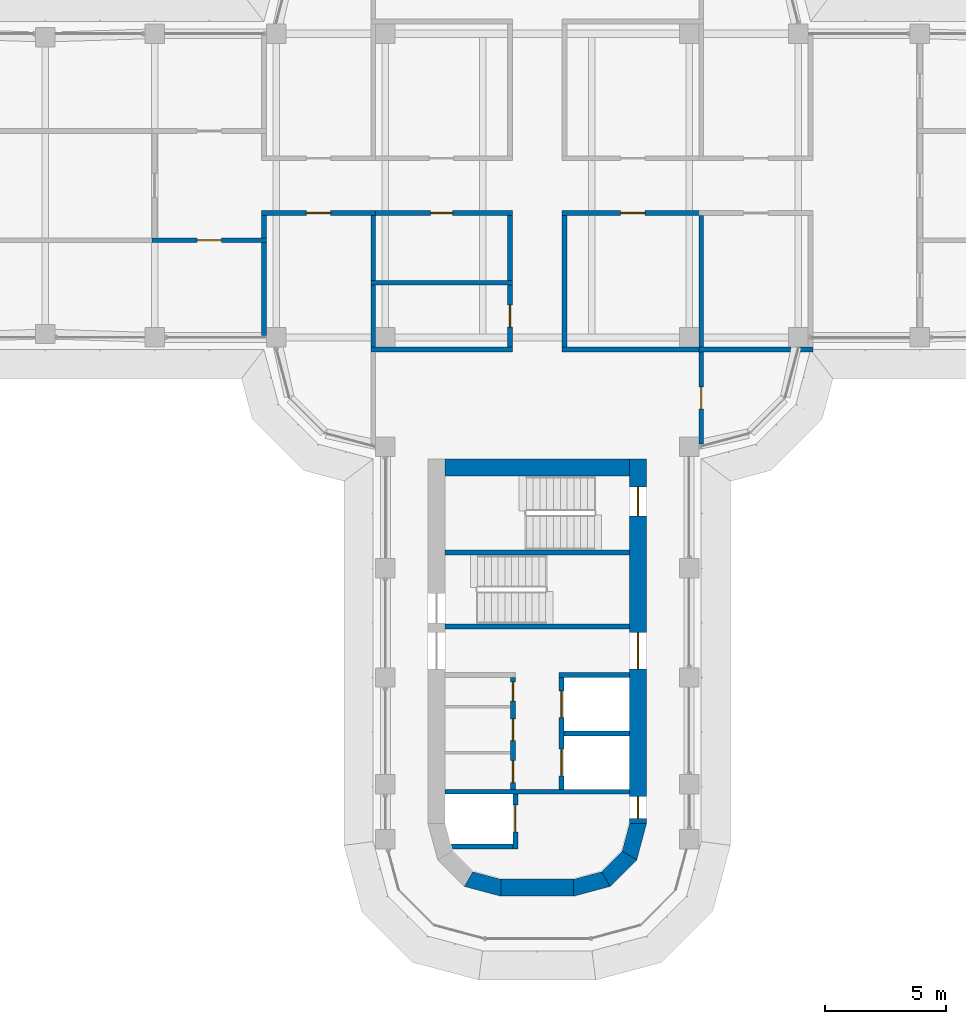
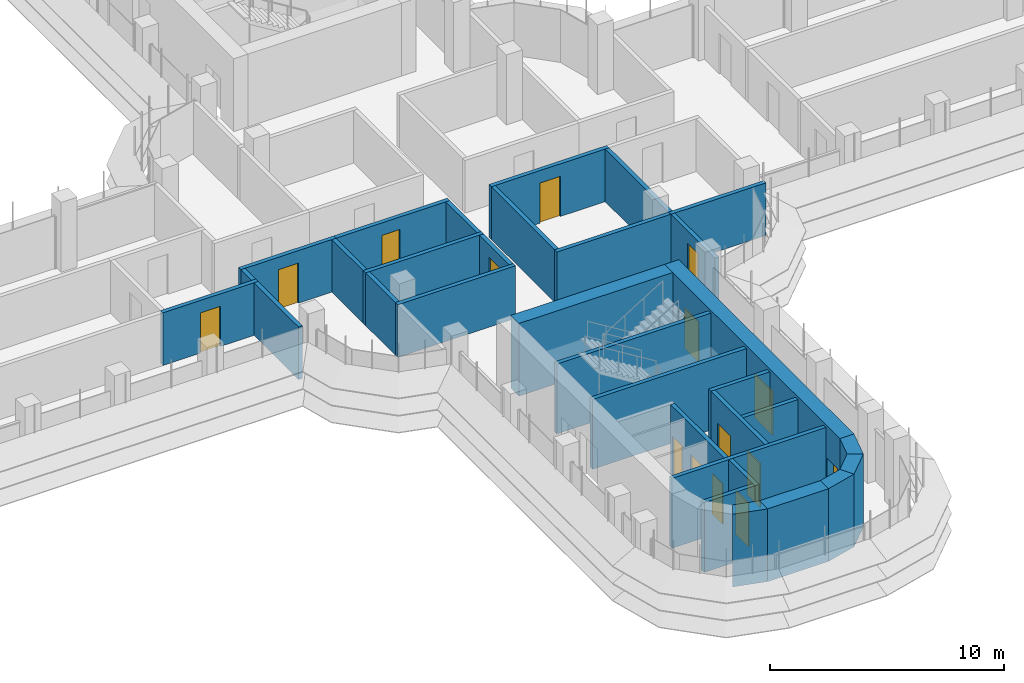
# One storey, part 13 of 19: 33 walls, 15 doors, 15 openings.
"""IFC4 building model written with IfcOpenShell, lengths in metres."""

from ifc_helpers import new_model, si_unit, direction, frame, frame_2d, origin, place, context, subcontext, project, spatial, polyline, rectangle, outline, extrude, material, layer, layer_set, type_object, element, fill, save


model = new_model("IFC4")

# Units and contexts
model_context = context("Model", 3, precision=1e-05, world=origin(), true_north=direction((0.0, 1.0)))
body_context = subcontext(model_context, "Body", "Model", "MODEL_VIEW")
ifc_project = project(units=[si_unit("LENGTHUNIT", "METRE"), si_unit("AREAUNIT", "SQUARE_METRE"), si_unit("VOLUMEUNIT", "CUBIC_METRE"), si_unit("PLANEANGLEUNIT", "RADIAN"), si_unit("MASSUNIT", "GRAM", prefix="KILO")], contexts=[model_context])

# Site, building, storey
site_placement = place(None, origin())
site = spatial("IfcSite", under=ifc_project, at=site_placement, CompositionType="ELEMENT")
building_placement = place(site_placement, origin())
building = spatial("IfcBuilding", under=site, at=building_placement, Name="Zarbagh Exchange Tower", CompositionType="ELEMENT")
storey_placement = place(building_placement, frame((0.0, 0.0, 171.39990234375)))
storey = spatial("IfcBuildingStorey", under=building, at=storey_placement, Name="L41", CompositionType="ELEMENT", Elevation=171.39990234375)

# Wall, opening, door
ifc_material_1 = material(Name="Fire-rated plasterboard partition")
ifc_layer_1 = layer(ifc_material_1, 0.199951171875)
ifc_layer_set_1 = layer_set([ifc_layer_1], Name="RATED PARTITION 200")
wall_type_1 = type_object("IfcWallType", Name="RATED PARTITION 200", PredefinedType="PARTITIONING", material=ifc_layer_set_1)
wall_1_placement = place(storey_placement, frame((6.85009765625, -1.125, 0.0), z_axis=(0.0, 0.0, 1.0), x_axis=(-1.0, 0.0, 0.0)))
wall_1 = element("IfcWall", 1, at=wall_1_placement, inside=storey, type_object=wall_type_1, Name="Partition W-1805", PredefinedType="PARTITIONING", context=body_context, shape_type="SweptSolid", body=[
    extrude(rectangle(XDim=5.8251953125, YDim=0.199951171875, at=frame_2d((2.91259765625, 0.0))), origin(), (0.0, 0.0, 1.0), 2.75),
])
opening_1_placement = place(wall_1_placement, frame((2.41259765625, 0.0, 0.0)))
opening_1 = element("IfcOpeningElement", 2, at=opening_1_placement, cuts=wall_1, Name="Opening D-1808", PredefinedType="OPENING", context=body_context, shape_type="SweptSolid", body=[
    extrude(rectangle(XDim=1.0, YDim=2.10009765625, at=frame_2d((0.5, 1.050048828125))), frame((0.0, 0.10986328125, 0.0), z_axis=(0.0, -1.0, 0.0), x_axis=(1.0, 0.0, 0.0)), (0.0, 0.0, 1.0), 0.219970703125),
])
ifc_material_2 = material(Name="Steel door set", Category="steel")
door_type_1 = type_object("IfcDoorType", Name="FIRE DOOR 1000 X 2100 FD30S", OperationType="NOTDEFINED", PredefinedType="DOOR", material=ifc_material_2)
door_1_placement = place(opening_1_placement, origin())
door_1 = element("IfcDoor", 3, at=door_1_placement, inside=storey, type_object=door_type_1, Name="Door D-1808", OperationType="SINGLE_SWING_RIGHT", OverallHeight=2.10009765625, OverallWidth=1.0, PredefinedType="DOOR", context=body_context, shape_type="SweptSolid", body=[
    extrude(rectangle(XDim=1.0, YDim=2.10009765625, at=frame_2d((0.5, 1.050048828125))), frame((0.0, 0.02490234375, 0.0), z_axis=(0.0, -1.0, 0.0), x_axis=(1.0, 0.0, 0.0)), (0.0, 0.0, 1.0), 0.050048828125),
])
fill(opening_1, door_1)

wall_2_placement = place(storey_placement, frame((-1.02490234375, -1.125, 0.0), z_axis=(0.0, 0.0, 1.0), x_axis=(-1.0, 0.0, 0.0)))
wall_2 = element("IfcWall", 4, at=wall_2_placement, inside=storey, type_object=wall_type_1, Name="Partition W-1807", PredefinedType="PARTITIONING", context=body_context, shape_type="SweptSolid", body=[
    extrude(rectangle(XDim=5.8251953125, YDim=0.199951171875, at=frame_2d((2.91259765625, 0.0))), origin(), (0.0, 0.0, 1.0), 2.75),
])
opening_2_placement = place(wall_2_placement, frame((2.46240234375, 0.0, 0.0)))
opening_2 = element("IfcOpeningElement", 5, at=opening_2_placement, cuts=wall_2, Name="Opening D-1811", PredefinedType="OPENING", context=body_context, shape_type="SweptSolid", body=[
    extrude(rectangle(XDim=0.89990234375, YDim=2.10009765625, at=frame_2d((0.449951171875, 1.050048828125))), frame((0.0, 0.10986328125, 0.0), z_axis=(0.0, -1.0, 0.0), x_axis=(1.0, 0.0, 0.0)), (0.0, 0.0, 1.0), 0.219970703125),
])
ifc_material_3 = material(Name="Timber door leaf", Category="wood")
door_type_2 = type_object("IfcDoorType", Name="DOOR 900 X 2100", OperationType="NOTDEFINED", PredefinedType="DOOR", material=ifc_material_3)
door_2_placement = place(opening_2_placement, origin())
door_2 = element("IfcDoor", 6, at=door_2_placement, inside=storey, type_object=door_type_2, Name="Door D-1811", OperationType="SINGLE_SWING_RIGHT", OverallHeight=2.10009765625, OverallWidth=0.89990234375, PredefinedType="DOOR", context=body_context, shape_type="SweptSolid", body=[
    extrude(rectangle(XDim=0.89990234375, YDim=2.10009765625, at=frame_2d((0.449951171875, 1.050048828125))), frame((0.0, 0.02490234375, 0.0), z_axis=(0.0, -1.0, 0.0), x_axis=(1.0, 0.0, 0.0)), (0.0, 0.0, 1.0), 0.050048828125),
])
fill(opening_2, door_2)

wall_3_placement = place(storey_placement, frame((-6.64990234375, -1.125, 0.0), z_axis=(0.0, 0.0, 1.0), x_axis=(-1.0, 0.0, 0.0)))
wall_3 = element("IfcWall", 7, at=wall_3_placement, inside=storey, type_object=wall_type_1, Name="Partition W-1808", PredefinedType="PARTITIONING", context=body_context, shape_type="SweptSolid", body=[
    extrude(rectangle(XDim=4.7001953125, YDim=0.199951171875, at=frame_2d((2.35009765625, 0.0))), origin(), (0.0, 0.0, 1.0), 2.75),
])
opening_3_placement = place(wall_3_placement, frame((1.85009765625, 0.0, 0.0)))
opening_3 = element("IfcOpeningElement", 8, at=opening_3_placement, cuts=wall_3, Name="Opening D-1813", PredefinedType="OPENING", context=body_context, shape_type="SweptSolid", body=[
    extrude(rectangle(XDim=1.0, YDim=2.10009765625, at=frame_2d((0.5, 1.050048828125))), frame((0.0, 0.10986328125, 0.0), z_axis=(0.0, -1.0, 0.0), x_axis=(1.0, 0.0, 0.0)), (0.0, 0.0, 1.0), 0.219970703125),
])
door_3_placement = place(opening_3_placement, origin())
door_3 = element("IfcDoor", 9, at=door_3_placement, inside=storey, type_object=door_type_1, Name="Door D-1813", OperationType="SINGLE_SWING_RIGHT", OverallHeight=2.10009765625, OverallWidth=1.0, PredefinedType="DOOR", context=body_context, shape_type="SweptSolid", body=[
    extrude(rectangle(XDim=1.0, YDim=2.10009765625, at=frame_2d((0.5, 1.050048828125))), frame((0.0, 0.02490234375, 0.0), z_axis=(0.0, -1.0, 0.0), x_axis=(1.0, 0.0, 0.0)), (0.0, 0.0, 1.0), 0.050048828125),
])
fill(opening_3, door_3)

# Walls
wall_4_placement = place(storey_placement, frame((1.125, -6.64990234375, 0.0), z_axis=(0.0, 0.0, 1.0), x_axis=(0.0, 1.0, 0.0)))
element("IfcWall", 10, at=wall_4_placement, inside=storey, type_object=wall_type_1, Name="Partition W-1811", PredefinedType="PARTITIONING", context=body_context, shape_type="SweptSolid", body=[
    extrude(rectangle(XDim=5.4248046875, YDim=0.199951171875, at=frame_2d((2.71240234375, 0.0))), origin(), (0.0, 0.0, 1.0), 2.75),
])
wall_5_placement = place(storey_placement, frame((-1.125, -3.89990234375, 0.0), z_axis=(0.0, 0.0, 1.0), x_axis=(0.0, 1.0, 0.0)))
element("IfcWall", 11, at=wall_5_placement, inside=storey, type_object=wall_type_1, Name="Partition W-1812", PredefinedType="PARTITIONING", context=body_context, shape_type="SweptSolid", body=[
    extrude(rectangle(XDim=2.6748046875, YDim=0.199951171875, at=frame_2d((1.33740234375, 0.0))), origin(), (0.0, 0.0, 1.0), 2.75),
])

# Wall, opening, door
wall_6_placement = place(storey_placement, frame((-1.125, -6.64990234375, 0.0), z_axis=(0.0, 0.0, 1.0), x_axis=(0.0, 1.0, 0.0)))
wall_6 = element("IfcWall", 12, at=wall_6_placement, inside=storey, type_object=wall_type_1, Name="Partition W-1813", PredefinedType="PARTITIONING", context=body_context, shape_type="SweptSolid", body=[
    extrude(rectangle(XDim=2.5498046875, YDim=0.199951171875, at=frame_2d((1.27490234375, 0.0))), origin(), (0.0, 0.0, 1.0), 2.75),
])
opening_4_placement = place(wall_6_placement, frame((0.824951171875, 0.0, 0.0)))
opening_4 = element("IfcOpeningElement", 13, at=opening_4_placement, cuts=wall_6, Name="Opening D-1812", PredefinedType="OPENING", context=body_context, shape_type="SweptSolid", body=[
    extrude(rectangle(XDim=0.89990234375, YDim=2.10009765625, at=frame_2d((0.449951171875, 1.050048828125))), frame((0.0, 0.10986328125, 0.0), z_axis=(0.0, -1.0, 0.0), x_axis=(1.0, 0.0, 0.0)), (0.0, 0.0, 1.0), 0.219970703125),
])
door_4_placement = place(opening_4_placement, origin())
door_4 = element("IfcDoor", 14, at=door_4_placement, inside=storey, type_object=door_type_2, Name="Door D-1812", OperationType="SINGLE_SWING_RIGHT", OverallHeight=2.10009765625, OverallWidth=0.89990234375, PredefinedType="DOOR", context=body_context, shape_type="SweptSolid", body=[
    extrude(rectangle(XDim=0.89990234375, YDim=2.10009765625, at=frame_2d((0.449951171875, 1.050048828125))), frame((0.0, 0.02490234375, 0.0), z_axis=(0.0, -1.0, 0.0), x_axis=(1.0, 0.0, 0.0)), (0.0, 0.0, 1.0), 0.050048828125),
])
fill(opening_4, door_4)

# Wall
wall_7_placement = place(storey_placement, frame((1.02490234375, -6.75, 0.0), z_axis=(0.0, 0.0, 1.0), x_axis=(1.0, 0.0, 0.0)))
element("IfcWall", 15, at=wall_7_placement, inside=storey, type_object=wall_type_1, Name="Partition W-1818", PredefinedType="PARTITIONING", context=body_context, shape_type="SweptSolid", body=[
    extrude(rectangle(XDim=5.8251953125, YDim=0.199951171875, at=frame_2d((2.91259765625, 0.0))), origin(), (0.0, 0.0, 1.0), 2.75),
])

# Wall, opening, door
wall_8_placement = place(storey_placement, frame((6.75, -6.85009765625, 0.0), z_axis=(0.0, 0.0, 1.0), x_axis=(0.0, -1.0, 0.0)))
wall_8 = element("IfcWall", 16, at=wall_8_placement, inside=storey, type_object=wall_type_1, Name="Partition W-1819", PredefinedType="PARTITIONING", context=body_context, shape_type="SweptSolid", body=[
    extrude(rectangle(XDim=3.77978515625, YDim=0.199951171875, at=frame_2d((1.889892578125, 0.0))), origin(), (0.0, 0.0, 1.0), 2.75),
])
opening_5_placement = place(wall_8_placement, frame((1.43994140625, 0.0, 0.0)))
opening_5 = element("IfcOpeningElement", 17, at=opening_5_placement, cuts=wall_8, Name="Opening D-1810", PredefinedType="OPENING", context=body_context, shape_type="SweptSolid", body=[
    extrude(rectangle(XDim=0.89990234375, YDim=2.10009765625, at=frame_2d((0.449951171875, 1.050048828125))), frame((0.0, 0.10986328125, 0.0), z_axis=(0.0, -1.0, 0.0), x_axis=(1.0, 0.0, 0.0)), (0.0, 0.0, 1.0), 0.219970703125),
])
door_5_placement = place(opening_5_placement, origin())
door_5 = element("IfcDoor", 18, at=door_5_placement, inside=storey, type_object=door_type_2, Name="Door D-1810", OperationType="SINGLE_SWING_LEFT", OverallHeight=2.10009765625, OverallWidth=0.89990234375, PredefinedType="DOOR", context=body_context, shape_type="SweptSolid", body=[
    extrude(rectangle(XDim=0.89990234375, YDim=2.10009765625, at=frame_2d((0.449951171875, 1.050048828125))), frame((0.0, 0.02490234375, 0.0), z_axis=(0.0, -1.0, 0.0), x_axis=(1.0, 0.0, 0.0)), (0.0, 0.0, 1.0), 0.050048828125),
])
fill(opening_5, door_5)

# Walls
wall_9_placement = place(storey_placement, frame((-6.85009765625, -6.75, 0.0), z_axis=(0.0, 0.0, 1.0), x_axis=(1.0, 0.0, 0.0)))
element("IfcWall", 19, at=wall_9_placement, inside=storey, type_object=wall_type_1, Name="Partition W-1820", PredefinedType="PARTITIONING", context=body_context, shape_type="SweptSolid", body=[
    extrude(rectangle(XDim=5.8251953125, YDim=0.199951171875, at=frame_2d((2.91259765625, 0.0))), origin(), (0.0, 0.0, 1.0), 2.75),
])
wall_10_placement = place(storey_placement, frame((6.75, -6.64990234375, 0.0), z_axis=(0.0, 0.0, 1.0), x_axis=(0.0, 1.0, 0.0)))
element("IfcWall", 20, at=wall_10_placement, inside=storey, type_object=wall_type_1, Name="Partition W-1827", PredefinedType="PARTITIONING", context=body_context, shape_type="SweptSolid", body=[
    extrude(rectangle(XDim=5.4248046875, YDim=0.199951171875, at=frame_2d((2.71240234375, 0.0))), origin(), (0.0, 0.0, 1.0), 2.75),
])
wall_11_placement = place(storey_placement, frame((6.64990234375, -6.75, 0.0), z_axis=(0.0, 0.0, 1.0), x_axis=(1.0, 0.0, 0.0)))
element("IfcWall", 21, at=wall_11_placement, inside=storey, type_object=wall_type_1, Name="Partition W-1828", PredefinedType="PARTITIONING", context=body_context, shape_type="SweptSolid", body=[
    extrude(rectangle(XDim=4.7001953125, YDim=0.199951171875, at=frame_2d((2.35009765625, 0.0))), origin(), (0.0, 0.0, 1.0), 2.75),
])
wall_12_placement = place(storey_placement, frame((-6.85009765625, -4.0, 0.0), z_axis=(0.0, 0.0, 1.0), x_axis=(1.0, 0.0, 0.0)))
element("IfcWall", 22, at=wall_12_placement, inside=storey, type_object=wall_type_1, Name="Partition W-1830", PredefinedType="PARTITIONING", context=body_context, shape_type="SweptSolid", body=[
    extrude(rectangle(XDim=5.8251953125, YDim=0.199951171875, at=frame_2d((2.91259765625, 0.0))), origin(), (0.0, 0.0, 1.0), 2.75),
])
wall_13_placement = place(storey_placement, frame((-6.75, -3.89990234375, 0.0), z_axis=(0.0, 0.0, 1.0), x_axis=(0.0, 1.0, 0.0)))
element("IfcWall", 23, at=wall_13_placement, inside=storey, type_object=wall_type_1, Name="Partition W-1831", PredefinedType="PARTITIONING", context=body_context, shape_type="SweptSolid", body=[
    extrude(rectangle(XDim=2.6748046875, YDim=0.199951171875, at=frame_2d((1.33740234375, 0.0))), origin(), (0.0, 0.0, 1.0), 2.75),
])
wall_14_placement = place(storey_placement, frame((-6.75, -6.64990234375, 0.0), z_axis=(0.0, 0.0, 1.0), x_axis=(0.0, 1.0, 0.0)))
element("IfcWall", 24, at=wall_14_placement, inside=storey, type_object=wall_type_1, Name="Partition W-1832", PredefinedType="PARTITIONING", context=body_context, shape_type="SweptSolid", body=[
    extrude(rectangle(XDim=2.5498046875, YDim=0.199951171875, at=frame_2d((1.27490234375, 0.0))), origin(), (0.0, 0.0, 1.0), 2.75),
])
wall_15_placement = place(storey_placement, frame((-11.25, -2.14990234375, 0.0), z_axis=(0.0, 0.0, 1.0), x_axis=(0.0, 1.0, 0.0)))
element("IfcWall", 25, at=wall_15_placement, inside=storey, type_object=wall_type_1, Name="Partition W-1833", PredefinedType="PARTITIONING", context=body_context, shape_type="SweptSolid", body=[
    extrude(rectangle(XDim=0.9248046875, YDim=0.199951171875, at=frame_2d((0.46240234375, 0.0))), origin(), (0.0, 0.0, 1.0), 2.75),
])
wall_16_placement = place(storey_placement, frame((-11.25, -6.169921875, 0.0), z_axis=(0.0, 0.0, 1.0), x_axis=(0.0, 1.0, 0.0)))
element("IfcWall", 26, at=wall_16_placement, inside=storey, type_object=wall_type_1, Name="Partition W-1834", PredefinedType="PARTITIONING", context=body_context, shape_type="SweptSolid", body=[
    extrude(rectangle(XDim=3.81982421875, YDim=0.199951171875, at=frame_2d((1.909912109375, 0.0))), origin(), (0.0, 0.0, 1.0), 2.75),
])

# Wall, opening, door
wall_17_placement = place(storey_placement, frame((-11.14990234375, -2.25, 0.0), z_axis=(0.0, 0.0, 1.0), x_axis=(-1.0, 0.0, 0.0)))
wall_17 = element("IfcWall", 27, at=wall_17_placement, inside=storey, type_object=wall_type_1, Name="Partition W-1843", PredefinedType="PARTITIONING", context=body_context, shape_type="SweptSolid", body=[
    extrude(rectangle(XDim=4.7001953125, YDim=0.199951171875, at=frame_2d((2.35009765625, 0.0))), origin(), (0.0, 0.0, 1.0), 2.75),
])
opening_6_placement = place(wall_17_placement, frame((1.85009765625, 0.0, 0.0)))
opening_6 = element("IfcOpeningElement", 28, at=opening_6_placement, cuts=wall_17, Name="Opening D-1816", PredefinedType="OPENING", context=body_context, shape_type="SweptSolid", body=[
    extrude(rectangle(XDim=1.0, YDim=2.10009765625, at=frame_2d((0.5, 1.050048828125))), frame((0.0, 0.10986328125, 0.0), z_axis=(0.0, -1.0, 0.0), x_axis=(1.0, 0.0, 0.0)), (0.0, 0.0, 1.0), 0.219970703125),
])
door_6_placement = place(opening_6_placement, origin())
door_6 = element("IfcDoor", 29, at=door_6_placement, inside=storey, type_object=door_type_1, Name="Door D-1816", OperationType="SINGLE_SWING_RIGHT", OverallHeight=2.10009765625, OverallWidth=1.0, PredefinedType="DOOR", context=body_context, shape_type="SweptSolid", body=[
    extrude(rectangle(XDim=1.0, YDim=2.10009765625, at=frame_2d((0.5, 1.050048828125))), frame((0.0, 0.02490234375, 0.0), z_axis=(0.0, -1.0, 0.0), x_axis=(1.0, 0.0, 0.0)), (0.0, 0.0, 1.0), 0.050048828125),
])
fill(opening_6, door_6)

# Walls
ifc_material_4 = material(Name="Concrete C50/60", Category="concrete")
ifc_layer_2 = layer(ifc_material_4, 0.699951171875)
ifc_layer_set_2 = layer_set([ifc_layer_2], Name="RC core corner wall 700 C50/60")
wall_type_2 = type_object("IfcWallType", Name="RC core corner wall 700 C50/60", PredefinedType="SHEAR", material=ifc_layer_set_2)
wall_18_placement = place(storey_placement, origin())
element("IfcWall", 30, at=wall_18_placement, inside=storey, type_object=wall_type_2, Name="CW6 core S corner W", PredefinedType="SHEAR", context=body_context, shape_type="SweptSolid", body=[
    extrude(outline(polyline([(-3.0, -28.84814453125), (-1.5, -29.25), (-1.5, -28.550048828125), (-2.64990234375, -28.241943359375), (-3.0, -28.84814453125)])), origin(), (0.0, 0.0, 1.0), 3.800048828125),
])
wall_19_placement = place(storey_placement, origin())
element("IfcWall", 31, at=wall_19_placement, inside=storey, type_object=wall_type_2, Name="CW6 core S corner E", PredefinedType="SHEAR", context=body_context, shape_type="SweptSolid", body=[
    extrude(outline(polyline([(4.5, -26.25), (4.09814453125, -27.75), (3.491943359375, -27.39990234375), (3.800048828125, -26.25), (4.5, -26.25)])), origin(), (0.0, 0.0, 1.0), 3.800048828125),
])
wall_20_placement = place(storey_placement, origin())
element("IfcWall", 32, at=wall_20_placement, inside=storey, type_object=wall_type_2, Name="CW6 core S corner E", PredefinedType="SHEAR", context=body_context, shape_type="SweptSolid", body=[
    extrude(outline(polyline([(4.09814453125, -27.75), (3.0, -28.84814453125), (2.64990234375, -28.241943359375), (3.491943359375, -27.39990234375), (4.09814453125, -27.75)])), origin(), (0.0, 0.0, 1.0), 3.800048828125),
])
wall_21_placement = place(storey_placement, origin())
element("IfcWall", 33, at=wall_21_placement, inside=storey, type_object=wall_type_2, Name="CW6 core S corner E", PredefinedType="SHEAR", context=body_context, shape_type="SweptSolid", body=[
    extrude(outline(polyline([(3.0, -28.84814453125), (1.5, -29.25), (1.5, -28.550048828125), (2.64990234375, -28.241943359375), (3.0, -28.84814453125)])), origin(), (0.0, 0.0, 1.0), 3.800048828125),
])

# Wall, openings, doors
ifc_layer_3 = layer(ifc_material_4, 0.699951171875)
ifc_layer_set_3 = layer_set([ifc_layer_3], Name="RC core wall 700 C50/60")
wall_type_3 = type_object("IfcWallType", Name="RC core wall 700 C50/60", PredefinedType="SHEAR", material=ifc_layer_set_3)
wall_22_placement = place(storey_placement, frame((4.14990234375, -11.25, 0.0), z_axis=(0.0, 0.0, 1.0), x_axis=(0.0, -1.0, 0.0)))
wall_22 = element("IfcWall", 34, at=wall_22_placement, inside=storey, type_object=wall_type_3, Name="CW5 core S E", PredefinedType="SHEAR", context=body_context, shape_type="SweptSolid", body=[
    extrude(rectangle(XDim=15.0, YDim=0.699951171875, at=frame_2d((7.5, 0.0))), origin(), (0.0, 0.0, 1.0), 3.800048828125),
])
opening_7_placement = place(wall_22_placement, frame((7.14990234375, 0.0, 0.0)))
opening_7 = element("IfcOpeningElement", 35, at=opening_7_placement, cuts=wall_22, Name="Opening CD1-1500", PredefinedType="OPENING", context=body_context, shape_type="SweptSolid", body=[
    extrude(rectangle(XDim=1.5, YDim=2.300048828125, at=frame_2d((0.75, 1.14990234375))), frame((0.0, 0.35986328125, 0.0), z_axis=(0.0, -1.0, 0.0), x_axis=(1.0, 0.0, 0.0)), (0.0, 0.0, 1.0), 0.719970703125),
])
opening_8_placement = place(wall_22_placement, frame((13.89990234375, 0.0, 0.0)))
opening_8 = element("IfcOpeningElement", 36, at=opening_8_placement, cuts=wall_22, Name="Opening CD2-900", PredefinedType="OPENING", context=body_context, shape_type="SweptSolid", body=[
    extrude(rectangle(XDim=0.89990234375, YDim=2.10009765625, at=frame_2d((0.449951171875, 1.050048828125))), frame((0.0, 0.35986328125, 0.0), z_axis=(0.0, -1.0, 0.0), x_axis=(1.0, 0.0, 0.0)), (0.0, 0.0, 1.0), 0.719970703125),
])
opening_9_placement = place(wall_22_placement, frame((1.14990234375, 0.0, 0.0)))
opening_9 = element("IfcOpeningElement", 37, at=opening_9_placement, cuts=wall_22, Name="Opening SD1-1200", PredefinedType="OPENING", context=body_context, shape_type="SweptSolid", body=[
    extrude(rectangle(XDim=1.199951171875, YDim=2.10009765625, at=frame_2d((0.60009765625, 1.050048828125))), frame((0.0, 0.35986328125, 0.0), z_axis=(0.0, -1.0, 0.0), x_axis=(1.0, 0.0, 0.0)), (0.0, 0.0, 1.0), 0.719970703125),
])
ifc_material_5 = material(Name="Steel", Category="steel")
door_type_3 = type_object("IfcDoorType", Name="Exit stair door 1200 x 2100", OperationType="NOTDEFINED", PredefinedType="DOOR", material=ifc_material_5)
door_7_placement = place(opening_9_placement, origin())
door_7 = element("IfcDoor", 38, at=door_7_placement, inside=storey, type_object=door_type_3, Name="South core stair door ST2", OperationType="SINGLE_SWING_RIGHT", OverallHeight=2.10009765625, OverallWidth=1.199951171875, PredefinedType="DOOR", context=body_context, shape_type="SweptSolid", body=[
    extrude(rectangle(XDim=1.199951171875, YDim=2.10009765625, at=frame_2d((0.60009765625, 1.050048828125))), frame((0.0, 0.02490234375, 0.0), z_axis=(0.0, -1.0, 0.0), x_axis=(1.0, 0.0, 0.0)), (0.0, 0.0, 1.0), 0.050048828125),
])
fill(opening_9, door_7)
door_type_4 = type_object("IfcDoorType", Name="Firefighting lobby door 900 x 2100", OperationType="NOTDEFINED", PredefinedType="DOOR", material=ifc_material_5)
door_8_placement = place(opening_8_placement, origin())
door_8 = element("IfcDoor", 39, at=door_8_placement, inside=storey, type_object=door_type_4, Name="South core firefighting lobby door FF-W", OperationType="SINGLE_SWING_RIGHT", OverallHeight=2.10009765625, OverallWidth=0.89990234375, PredefinedType="DOOR", context=body_context, shape_type="SweptSolid", body=[
    extrude(rectangle(XDim=0.89990234375, YDim=2.10009765625, at=frame_2d((0.449951171875, 1.050048828125))), frame((0.0, 0.02490234375, 0.0), z_axis=(0.0, -1.0, 0.0), x_axis=(1.0, 0.0, 0.0)), (0.0, 0.0, 1.0), 0.050048828125),
])
fill(opening_8, door_8)
door_type_5 = type_object("IfcDoorType", Name="Lift lobby double door 1500 x 2300", OperationType="NOTDEFINED", PredefinedType="DOOR", material=ifc_material_5)
door_9_placement = place(opening_7_placement, origin())
door_9 = element("IfcDoor", 40, at=door_9_placement, inside=storey, type_object=door_type_5, Name="South core lift lobby door LOBBY-W", OperationType="DOUBLE_DOOR_SINGLE_SWING", OverallHeight=2.300048828125, OverallWidth=1.5, PredefinedType="DOOR", context=body_context, shape_type="SweptSolid", body=[
    extrude(rectangle(XDim=1.5, YDim=2.300048828125, at=frame_2d((0.75, 1.14990234375))), frame((0.0, 0.02490234375, 0.0), z_axis=(0.0, -1.0, 0.0), x_axis=(1.0, 0.0, 0.0)), (0.0, 0.0, 1.0), 0.050048828125),
])
fill(opening_7, door_9)

# Walls
wall_23_placement = place(storey_placement, frame((-3.800048828125, -11.60009765625, 0.0), z_axis=(0.0, 0.0, 1.0), x_axis=(1.0, 0.0, 0.0)))
element("IfcWall", 41, at=wall_23_placement, inside=storey, type_object=wall_type_3, Name="CW5 core S inner end", PredefinedType="SHEAR", context=body_context, shape_type="SweptSolid", body=[
    extrude(rectangle(XDim=7.60009765625, YDim=0.699951171875, at=frame_2d((3.800048828125, 0.0))), origin(), (0.0, 0.0, 1.0), 3.800048828125),
])
wall_24_placement = place(storey_placement, frame((-1.5, -28.89990234375, 0.0), z_axis=(0.0, 0.0, 1.0), x_axis=(1.0, 0.0, 0.0)))
element("IfcWall", 42, at=wall_24_placement, inside=storey, type_object=wall_type_3, Name="CW5 core S outer end", PredefinedType="SHEAR", context=body_context, shape_type="SweptSolid", body=[
    extrude(rectangle(XDim=3.0, YDim=0.699951171875, at=frame_2d((1.5, 0.0))), origin(), (0.0, 0.0, 1.0), 3.800048828125),
])
ifc_material_6 = material(Name="Dense blockwork", Category="masonry")
ifc_layer_4 = layer(ifc_material_6, 0.199951171875)
ifc_layer_set_4 = layer_set([ifc_layer_4], Name="Shaft wall 200 mm blockwork")
wall_type_4 = type_object("IfcWallType", Name="Shaft wall 200 mm blockwork", PredefinedType="PARTITIONING", material=ifc_layer_set_4)
wall_25_placement = place(storey_placement, frame((3.800048828125, -20.14990234375, 0.0), z_axis=(0.0, 0.0, 1.0), x_axis=(-1.0, 0.0, 0.0)))
element("IfcWall", 43, at=wall_25_placement, inside=storey, type_object=wall_type_4, Name="South core shaft wall AB-W", PredefinedType="PARTITIONING", context=body_context, shape_type="SweptSolid", body=[
    extrude(rectangle(XDim=2.900146484375, YDim=0.199951171875, at=frame_2d((1.4501953125, 0.0))), origin(), (0.0, 0.0, 1.0), 3.650146484375),
])

# Wall, openings, doors
wall_26_placement = place(storey_placement, frame((1.0, -24.85009765625, 0.0), z_axis=(0.0, 0.0, 1.0), x_axis=(0.0, 1.0, 0.0)))
wall_26 = element("IfcWall", 44, at=wall_26_placement, inside=storey, type_object=wall_type_4, Name="South core shaft wall LW-W", PredefinedType="PARTITIONING", context=body_context, shape_type="SweptSolid", body=[
    extrude(rectangle(XDim=4.60009765625, YDim=0.199951171875, at=frame_2d((2.300048828125, 0.0))), origin(), (0.0, 0.0, 1.0), 3.650146484375),
])
opening_10_placement = place(wall_26_placement, frame((0.550048828125, 0.0, 0.0)))
opening_10 = element("IfcOpeningElement", 45, at=opening_10_placement, cuts=wall_26, Name="Opening LD-1100", PredefinedType="OPENING", context=body_context, shape_type="SweptSolid", body=[
    extrude(rectangle(XDim=1.10009765625, YDim=2.300048828125, at=frame_2d((0.550048828125, 1.14990234375))), frame((0.0, 0.10986328125, 0.0), z_axis=(0.0, -1.0, 0.0), x_axis=(1.0, 0.0, 0.0)), (0.0, 0.0, 1.0), 0.219970703125),
])
opening_11_placement = place(wall_26_placement, frame((2.949951171875, 0.0, 0.0)))
opening_11 = element("IfcOpeningElement", 46, at=opening_11_placement, cuts=wall_26, Name="Opening LD-1100", PredefinedType="OPENING", context=body_context, shape_type="SweptSolid", body=[
    extrude(rectangle(XDim=1.10009765625, YDim=2.300048828125, at=frame_2d((0.550048828125, 1.14990234375))), frame((0.0, 0.10986328125, 0.0), z_axis=(0.0, -1.0, 0.0), x_axis=(1.0, 0.0, 0.0)), (0.0, 0.0, 1.0), 0.219970703125),
])
ifc_material_7 = material(Name="Stainless steel", Category="steel")
door_type_6 = type_object("IfcDoorType", Name="Lift landing door 1100 x 2300", OperationType="NOTDEFINED", PredefinedType="DOOR", material=ifc_material_7)
door_10_placement = place(opening_10_placement, origin())
door_10 = element("IfcDoor", 47, at=door_10_placement, inside=storey, type_object=door_type_6, Name="South core lift landing door LD-P-S1", OperationType="DOUBLE_DOOR_SLIDING", OverallHeight=2.300048828125, OverallWidth=1.10009765625, PredefinedType="DOOR", context=body_context, shape_type="SweptSolid", body=[
    extrude(rectangle(XDim=1.10009765625, YDim=2.300048828125, at=frame_2d((0.550048828125, 1.14990234375))), frame((0.0, 0.02490234375, 0.0), z_axis=(0.0, -1.0, 0.0), x_axis=(1.0, 0.0, 0.0)), (0.0, 0.0, 1.0), 0.050048828125),
])
fill(opening_10, door_10)
door_11_placement = place(opening_11_placement, origin())
door_11 = element("IfcDoor", 48, at=door_11_placement, inside=storey, type_object=door_type_6, Name="South core lift landing door LD-P-S2", OperationType="DOUBLE_DOOR_SLIDING", OverallHeight=2.300048828125, OverallWidth=1.10009765625, PredefinedType="DOOR", context=body_context, shape_type="SweptSolid", body=[
    extrude(rectangle(XDim=1.10009765625, YDim=2.300048828125, at=frame_2d((0.550048828125, 1.14990234375))), frame((0.0, 0.02490234375, 0.0), z_axis=(0.0, -1.0, 0.0), x_axis=(1.0, 0.0, 0.0)), (0.0, 0.0, 1.0), 0.050048828125),
])
fill(opening_11, door_11)

wall_27_placement = place(storey_placement, frame((-1.0, -24.85009765625, 0.0), z_axis=(0.0, 0.0, 1.0), x_axis=(0.0, 1.0, 0.0)))
wall_27 = element("IfcWall", 49, at=wall_27_placement, inside=storey, type_object=wall_type_4, Name="South core shaft wall LW-E", PredefinedType="PARTITIONING", context=body_context, shape_type="SweptSolid", body=[
    extrude(rectangle(XDim=4.60009765625, YDim=0.199951171875, at=frame_2d((2.300048828125, 0.0))), origin(), (0.0, 0.0, 1.0), 3.650146484375),
])
opening_12_placement = place(wall_27_placement, frame((0.27490234375, 0.0, 0.0)))
opening_12 = element("IfcOpeningElement", 50, at=opening_12_placement, cuts=wall_27, Name="Opening CD3-900", PredefinedType="OPENING", context=body_context, shape_type="SweptSolid", body=[
    extrude(rectangle(XDim=0.89990234375, YDim=2.10009765625, at=frame_2d((0.449951171875, 1.050048828125))), frame((0.0, 0.10986328125, 0.0), z_axis=(0.0, -1.0, 0.0), x_axis=(1.0, 0.0, 0.0)), (0.0, 0.0, 1.0), 0.219970703125),
])
opening_13_placement = place(wall_27_placement, frame((2.0, 0.0, 0.0)))
opening_13 = element("IfcOpeningElement", 51, at=opening_13_placement, cuts=wall_27, Name="Opening CD3-900", PredefinedType="OPENING", context=body_context, shape_type="SweptSolid", body=[
    extrude(rectangle(XDim=0.89990234375, YDim=2.10009765625, at=frame_2d((0.449951171875, 1.050048828125))), frame((0.0, 0.10986328125, 0.0), z_axis=(0.0, -1.0, 0.0), x_axis=(1.0, 0.0, 0.0)), (0.0, 0.0, 1.0), 0.219970703125),
])
opening_14_placement = place(wall_27_placement, frame((3.625, 0.0, 0.0)))
opening_14 = element("IfcOpeningElement", 52, at=opening_14_placement, cuts=wall_27, Name="Opening CD3-800", PredefinedType="OPENING", context=body_context, shape_type="SweptSolid", body=[
    extrude(rectangle(XDim=0.800048828125, YDim=2.10009765625, at=frame_2d((0.39990234375, 1.050048828125))), frame((0.0, 0.10986328125, 0.0), z_axis=(0.0, -1.0, 0.0), x_axis=(1.0, 0.0, 0.0)), (0.0, 0.0, 1.0), 0.219970703125),
])
door_type_7 = type_object("IfcDoorType", Name="Core room door 800 x 2100", OperationType="NOTDEFINED", PredefinedType="DOOR", material=ifc_material_5)
door_12_placement = place(opening_14_placement, origin())
door_12 = element("IfcDoor", 53, at=door_12_placement, inside=storey, type_object=door_type_7, Name="South core IT room door RD-E-2", OperationType="SINGLE_SWING_LEFT", OverallHeight=2.10009765625, OverallWidth=0.800048828125, PredefinedType="DOOR", context=body_context, shape_type="SweptSolid", body=[
    extrude(rectangle(XDim=0.800048828125, YDim=2.10009765625, at=frame_2d((0.39990234375, 1.050048828125))), frame((0.0, 0.02490234375, 0.0), z_axis=(0.0, -1.0, 0.0), x_axis=(1.0, 0.0, 0.0)), (0.0, 0.0, 1.0), 0.050048828125),
])
fill(opening_14, door_12)
door_type_8 = type_object("IfcDoorType", Name="Core room door 900 x 2100", OperationType="NOTDEFINED", PredefinedType="DOOR", material=ifc_material_5)
door_13_placement = place(opening_12_placement, origin())
door_13 = element("IfcDoor", 54, at=door_13_placement, inside=storey, type_object=door_type_8, Name="South core Cleaner's store door RD-E-0", OperationType="SINGLE_SWING_LEFT", OverallHeight=2.10009765625, OverallWidth=0.89990234375, PredefinedType="DOOR", context=body_context, shape_type="SweptSolid", body=[
    extrude(rectangle(XDim=0.89990234375, YDim=2.10009765625, at=frame_2d((0.449951171875, 1.050048828125))), frame((0.0, 0.02490234375, 0.0), z_axis=(0.0, -1.0, 0.0), x_axis=(1.0, 0.0, 0.0)), (0.0, 0.0, 1.0), 0.050048828125),
])
fill(opening_12, door_13)
door_14_placement = place(opening_13_placement, origin())
door_14 = element("IfcDoor", 55, at=door_14_placement, inside=storey, type_object=door_type_8, Name="South core Pantry door RD-E-1", OperationType="SINGLE_SWING_RIGHT", OverallHeight=2.10009765625, OverallWidth=0.89990234375, PredefinedType="DOOR", context=body_context, shape_type="SweptSolid", body=[
    extrude(rectangle(XDim=0.89990234375, YDim=2.10009765625, at=frame_2d((0.449951171875, 1.050048828125))), frame((0.0, 0.02490234375, 0.0), z_axis=(0.0, -1.0, 0.0), x_axis=(1.0, 0.0, 0.0)), (0.0, 0.0, 1.0), 0.050048828125),
])
fill(opening_13, door_14)

# Walls
wall_28_placement = place(storey_placement, frame((3.800048828125, -22.550048828125, 0.0), z_axis=(0.0, 0.0, 1.0), x_axis=(-1.0, 0.0, 0.0)))
element("IfcWall", 56, at=wall_28_placement, inside=storey, type_object=wall_type_4, Name="South core shaft wall TR-W", PredefinedType="PARTITIONING", context=body_context, shape_type="SweptSolid", body=[
    extrude(rectangle(XDim=2.699951171875, YDim=0.199951171875, at=frame_2d((1.35009765625, 0.0))), origin(), (0.0, 0.0, 1.0), 3.650146484375),
])
ifc_material_8 = material(Name="Concrete C40/50", Category="concrete")
ifc_layer_5 = layer(ifc_material_8, 0.199951171875)
ifc_layer_set_5 = layer_set([ifc_layer_5], Name="Stair enclosure wall 200 mm RC C40/50")
wall_type_5 = type_object("IfcWallType", Name="Stair enclosure wall 200 mm RC C40/50", PredefinedType="SHEAR", material=ifc_layer_set_5)
wall_29_placement = place(storey_placement, frame((3.800048828125, -24.949951171875, 0.0), z_axis=(0.0, 0.0, 1.0), x_axis=(-1.0, 0.0, 0.0)))
element("IfcWall", 57, at=wall_29_placement, inside=storey, type_object=wall_type_5, Name="South core lift shaft wall FFA", PredefinedType="SHEAR", context=body_context, shape_type="SweptSolid", body=[
    extrude(rectangle(XDim=7.60009765625, YDim=0.199951171875, at=frame_2d((3.800048828125, 0.0))), origin(), (0.0, 0.0, 1.0), 3.650146484375),
])

# Wall, opening, door
wall_30_placement = place(storey_placement, frame((-0.89990234375, -27.300048828125, 0.0), z_axis=(0.0, 0.0, 1.0), x_axis=(0.0, 1.0, 0.0)))
wall_30 = element("IfcWall", 58, at=wall_30_placement, inside=storey, type_object=wall_type_5, Name="South core lift shaft wall FFL", PredefinedType="SHEAR", context=body_context, shape_type="SweptSolid", body=[
    extrude(rectangle(XDim=2.25, YDim=0.199951171875, at=frame_2d((1.125, 0.0))), origin(), (0.0, 0.0, 1.0), 3.650146484375),
])
opening_15_placement = place(wall_30_placement, frame((0.699951171875, 0.0, 0.0)))
opening_15 = element("IfcOpeningElement", 59, at=opening_15_placement, cuts=wall_30, Name="Opening LD-1100", PredefinedType="OPENING", context=body_context, shape_type="SweptSolid", body=[
    extrude(rectangle(XDim=1.10009765625, YDim=2.300048828125, at=frame_2d((0.550048828125, 1.14990234375))), frame((0.0, 0.10986328125, 0.0), z_axis=(0.0, -1.0, 0.0), x_axis=(1.0, 0.0, 0.0)), (0.0, 0.0, 1.0), 0.219970703125),
])
door_15_placement = place(opening_15_placement, origin())
door_15 = element("IfcDoor", 60, at=door_15_placement, inside=storey, type_object=door_type_6, Name="South core lift landing door LD-F", OperationType="DOUBLE_DOOR_SLIDING", OverallHeight=2.300048828125, OverallWidth=1.10009765625, PredefinedType="DOOR", context=body_context, shape_type="SweptSolid", body=[
    extrude(rectangle(XDim=1.10009765625, YDim=2.300048828125, at=frame_2d((0.550048828125, 1.14990234375))), frame((0.0, 0.02490234375, 0.0), z_axis=(0.0, -1.0, 0.0), x_axis=(1.0, 0.0, 0.0)), (0.0, 0.0, 1.0), 0.050048828125),
])
fill(opening_15, door_15)

# Walls
wall_31_placement = place(storey_placement, origin())
element("IfcWall", 61, at=wall_31_placement, inside=storey, type_object=wall_type_5, Name="South core lift shaft wall FFX", PredefinedType="SHEAR", context=body_context, shape_type="SweptSolid", body=[
    extrude(outline(polyline([(-1.0, -27.10009765625), (-3.547607421875, -27.10009765625), (-3.493896484375, -27.300048828125), (-1.0, -27.300048828125), (-1.0, -27.10009765625)])), origin(), (0.0, 0.0, 1.0), 3.650146484375),
])
for number, where, z_axis, x_axis, name in (
    (62, (3.800048828125, -18.14990234375, 0.0), (0.0, 0.0, 1.0), (-1.0, 0.0, 0.0), "South core stair wall BS"),
    (63, (3.800048828125, -15.10009765625, 0.0), (0.0, 0.0, 1.0), (-1.0, 0.0, 0.0), "South core stair wall ST12"),
):
    element("IfcWall", number, at=place(storey_placement, frame(where, z_axis=z_axis, x_axis=x_axis)), inside=storey, type_object=wall_type_5, Name=name, PredefinedType="SHEAR", context=body_context, shape_type="SweptSolid", body=[
        extrude(rectangle(XDim=7.60009765625, YDim=0.199951171875, at=frame_2d((3.800048828125, 0.0))), origin(), (0.0, 0.0, 1.0), 3.650146484375),
    ])

save(model, "model.ifc")
